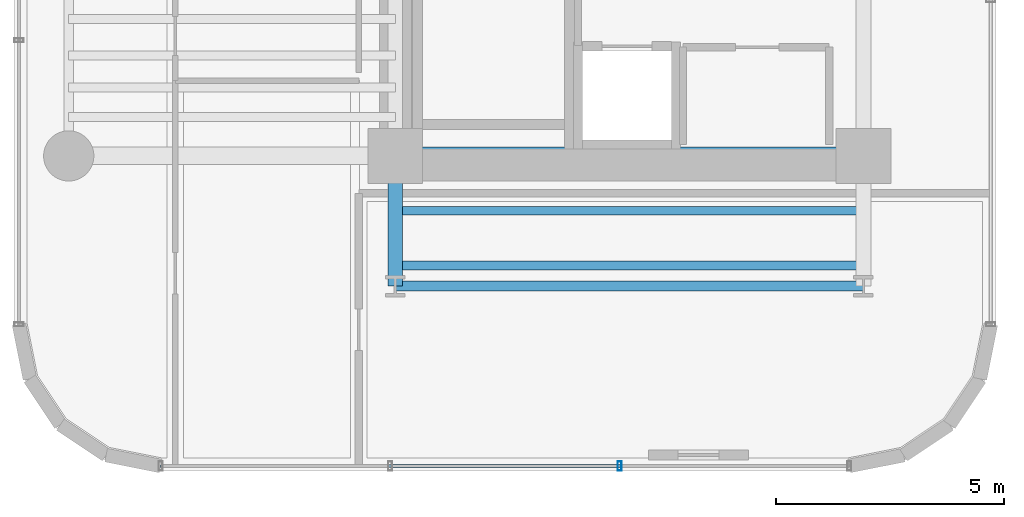
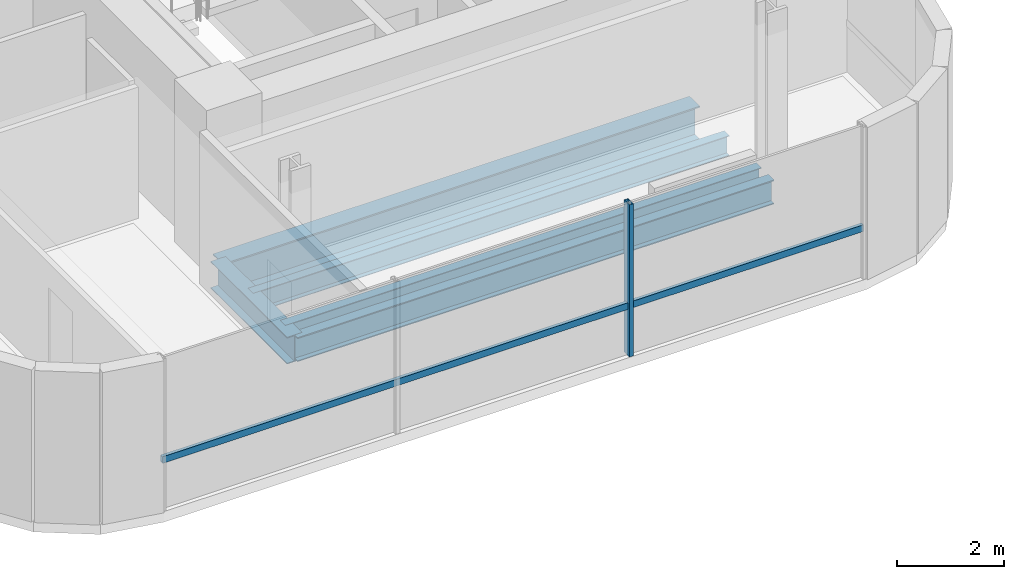
# One storey, part 3 of 35: 5 beams, 2 members, 1 element without a shape of its own.
"""IFC4 building model written with IfcOpenShell, lengths in metres."""

from ifc_helpers import new_model, si_unit, direction, frame, origin, origin_2d, place, context, subcontext, project, spatial, hollow_rectangle, i_section, extrude, source, transform, mapped, material, material_profile, profile_set, type_object, element, aggregate, save


model = new_model("IFC4")

# Units and contexts
model_context = context("Model", 3, precision=1e-05, world=origin(), true_north=direction((0.0, 1.0)))
body_context = subcontext(model_context, "Body", "Model", "MODEL_VIEW")
ifc_project = project(units=[si_unit("LENGTHUNIT", "METRE"), si_unit("AREAUNIT", "SQUARE_METRE"), si_unit("VOLUMEUNIT", "CUBIC_METRE"), si_unit("PLANEANGLEUNIT", "RADIAN"), si_unit("MASSUNIT", "GRAM", prefix="KILO")], contexts=[model_context])

# Site, building, storey
site_placement = place(None, origin())
site = spatial("IfcSite", under=ifc_project, at=site_placement, CompositionType="ELEMENT")
building_placement = place(site_placement, origin())
building = spatial("IfcBuilding", under=site, at=building_placement, Name="Valdorenza Pilgrim Sanctuary Tower", CompositionType="ELEMENT")
storey_placement = place(building_placement, frame((0.0, 0.0, 150.10009765625)))
storey = spatial("IfcBuildingStorey", under=building, at=storey_placement, Name="L38", CompositionType="ELEMENT", Elevation=150.10009765625)

# Beams
ifc_material_1 = material(Name="Steel ASTM A992 Grade 50", Category="steel")
ifc_material_profile_1 = material_profile(ifc_material_1, i_section(OverallWidth=0.214111328125, OverallDepth=0.549072265625, WebThickness=0.0146484375, FlangeThickness=0.023681640625, at=origin_2d()), Name="W21X93")
ifc_profile_set_1 = profile_set([ifc_material_profile_1], Name="Steel ASTM A992 Grade 50")
beam_type_1 = type_object("IfcBeamType", Name="STR-BM-SPN-W21A", PredefinedType="SPANDREL", material=ifc_profile_set_1)
shared_shape_1 = source(origin(), body_context, "Body", "SweptSolid", [
    extrude(i_section(OverallWidth=0.214111328125, OverallDepth=0.549072265625, WebThickness=0.0146484375, FlangeThickness=0.023681640625, at=origin_2d()), origin(), (0.0, 0.0, 1.0), 10.25),
])
beam_1_placement = place(storey_placement, frame((-22.64990234375, -13.449951171875, -0.5146484375), z_axis=(1.0, 0.0, 0.0), x_axis=(0.0, 1.0, 0.0)))
element("IfcBeam", 1, at=beam_1_placement, inside=storey, type_object=beam_type_1, Name="L38 South Spandrel WA-S-TIE", PredefinedType="SPANDREL", context=body_context, shape_type="MappedRepresentation", body=[
    mapped(shared_shape_1, transform((0.0, 0.0, 0.0), x_axis=(1.0, 0.0, 0.0), y_axis=(0.0, 1.0, 0.0), z_axis=(0.0, 0.0, 1.0), scale=1.0)),
])
ifc_material_profile_2 = material_profile(ifc_material_1, i_section(OverallWidth=0.323974609375, OverallDepth=0.611083984375, WebThickness=0.0126953125, FlangeThickness=0.01904296875, at=origin_2d()), Name="W24X104")
ifc_profile_set_2 = profile_set([ifc_material_profile_2], Name="Steel ASTM A992 Grade 50")
beam_type_2 = type_object("IfcBeamType", Name="STR-BM-GRD-W24B", PredefinedType="BEAM", material=ifc_profile_set_2)
shared_shape_2 = source(origin(), body_context, "Body", "SweptSolid", [
    extrude(i_section(OverallWidth=0.323974609375, OverallDepth=0.611083984375, WebThickness=0.0126953125, FlangeThickness=0.01904296875, at=origin_2d()), origin(), (0.0, 0.0, 1.0), 2.849853515625),
])
beam_2_placement = place(storey_placement, frame((-22.64990234375, -13.449951171875, -0.545654296875), z_axis=(0.0, 1.0, 0.0), x_axis=(-1.0, 0.0, 0.0)))
element("IfcBeam", 2, at=beam_2_placement, inside=storey, type_object=beam_type_2, Name="L38 Floor Girder WA-S-LW", PredefinedType="BEAM", context=body_context, shape_type="MappedRepresentation", body=[
    mapped(shared_shape_2, transform((0.0, 0.0, 0.0), x_axis=(1.0, 0.0, 0.0), y_axis=(0.0, 1.0, 0.0), z_axis=(0.0, 0.0, 1.0), scale=1.0)),
])
ifc_material_profile_3 = material_profile(ifc_material_1, i_section(OverallWidth=0.382080078125, OverallDepth=0.779052734375, WebThickness=0.01806640625, FlangeThickness=0.030029296875, at=origin_2d()), Name="W30X191")
ifc_profile_set_3 = profile_set([ifc_material_profile_3], Name="Steel ASTM A992 Grade 50")
beam_type_3 = type_object("IfcBeamType", Name="STR-BM-GRD-W30", PredefinedType="BEAM", material=ifc_profile_set_3)
shared_shape_3 = source(origin(), body_context, "Body", "SweptSolid", [
    extrude(i_section(OverallWidth=0.382080078125, OverallDepth=0.779052734375, WebThickness=0.01806640625, FlangeThickness=0.030029296875, at=origin_2d()), origin(), (0.0, 0.0, 1.0), 10.25),
])
beam_3_placement = place(storey_placement, frame((-22.64990234375, -10.60009765625, -0.629638671875), z_axis=(1.0, 0.0, 0.0), x_axis=(0.0, 1.0, 0.0)))
element("IfcBeam", 3, at=beam_3_placement, inside=storey, type_object=beam_type_3, Name="L38 Floor Girder CA-XC-S1", PredefinedType="BEAM", context=body_context, shape_type="MappedRepresentation", body=[
    mapped(shared_shape_3, transform((0.0, 0.0, 0.0), x_axis=(1.0, 0.0, 0.0), y_axis=(0.0, 1.0, 0.0), z_axis=(0.0, 0.0, 1.0), scale=1.0)),
])
ifc_material_profile_4 = material_profile(ifc_material_1, i_section(OverallWidth=0.19091796875, OverallDepth=0.45703125, WebThickness=0.009033203125, FlangeThickness=0.014404296875, at=origin_2d()), Name="W18X50")
ifc_profile_set_4 = profile_set([ifc_material_profile_4], Name="Steel ASTM A992 Grade 50")
beam_type_4 = type_object("IfcBeamType", Name="STR-BM-JST-W18B", PredefinedType="JOIST", material=ifc_profile_set_4)
shared_shape_4 = source(origin(), body_context, "Body", "SweptSolid", [
    extrude(i_section(OverallWidth=0.19091796875, OverallDepth=0.45703125, WebThickness=0.009033203125, FlangeThickness=0.014404296875, at=origin_2d()), origin(), (0.0, 0.0, 1.0), 10.25),
])
for number, where, z_axis, x_axis, name in (
    (4, (-22.64990234375, -13.0, -0.468505859375), (1.0, 0.0, 0.0), (0.0, 1.0, 0.0), "L38 Composite Floor Joist JST-WAS-1"),
    (5, (-22.64990234375, -11.800048828125, -0.468505859375), (1.0, 0.0, 0.0), (0.0, 1.0, 0.0), "L38 Composite Floor Joist JST-WAS-2"),
):
    element("IfcBeam", number, at=place(storey_placement, frame(where, z_axis=z_axis, x_axis=x_axis)), inside=storey, type_object=beam_type_4, Name=name, PredefinedType="JOIST", context=body_context, shape_type="MappedRepresentation", body=[
        mapped(shared_shape_4, transform((0.0, 0.0, 0.0), x_axis=(1.0, 0.0, 0.0), y_axis=(0.0, 1.0, 0.0), z_axis=(0.0, 0.0, 1.0), scale=1.0)),
    ])

# Curtain wall, members
ifc_material_2 = material(Name="Curtain-wall IGU glazing", Category="glass")
curtain_wall_type = type_object("IfcCurtainWallType", Name="CW-SYS-02", PredefinedType="NOTDEFINED", material=ifc_material_2)
curtain_wall_placement = place(storey_placement, origin())
curtain_wall = element("IfcCurtainWall", 6, at=curtain_wall_placement, inside=storey, type_object=curtain_wall_type, Name="L38 Curtain Wall CW-L38-1-46", PredefinedType="NOTDEFINED")
ifc_material_3 = material(Name="Anodised aluminium AW-6060", Category="aluminium")
ifc_material_profile_5 = material_profile(ifc_material_3, hollow_rectangle(XDim=0.0849609375, YDim=0.199951171875, WallThickness=0.0048828125, at=origin_2d()), Name="ALU-M 200x85x5")
ifc_profile_set_5 = profile_set([ifc_material_profile_5], Name="Anodised aluminium AW-6060")
member_type_1 = type_object("IfcMemberType", Name="CW-MUL-02", PredefinedType="MULLION", material=ifc_profile_set_5)
shared_shape_5 = source(origin(), body_context, "Body", "SweptSolid", [
    extrude(hollow_rectangle(XDim=0.0849609375, YDim=0.199951171875, WallThickness=0.0048828125, at=origin_2d()), origin(), (0.0, 0.0, 1.0), 3.4599609375),
])
member_1_placement = place(storey_placement, frame((-17.73681640625, -17.389892578125, 0.0), z_axis=(0.0, 0.0, 1.0), x_axis=(-1.0, 0.0, 0.0)))
member_1 = element("IfcMember", 7, at=member_1_placement, type_object=member_type_1, Name="CW-L38-1-46 Mullion 2", PredefinedType="MULLION", context=body_context, shape_type="MappedRepresentation", body=[
    mapped(shared_shape_5, transform((0.0, 0.0, 0.0), x_axis=(1.0, 0.0, 0.0), y_axis=(0.0, 1.0, 0.0), z_axis=(0.0, 0.0, 1.0), scale=1.0)),
])
ifc_material_profile_6 = material_profile(ifc_material_3, hollow_rectangle(XDim=0.074951171875, YDim=0.14990234375, WallThickness=0.00390625, at=origin_2d()), Name="ALU-T 150x75x4")
ifc_profile_set_6 = profile_set([ifc_material_profile_6], Name="Anodised aluminium AW-6060")
member_type_2 = type_object("IfcMemberType", Name="CW-TRN-02", PredefinedType="USERDEFINED", material=ifc_profile_set_6)
shared_shape_6 = source(origin(), body_context, "Body", "SweptSolid", [
    extrude(hollow_rectangle(XDim=0.074951171875, YDim=0.14990234375, WallThickness=0.00390625, at=origin_2d()), origin(), (0.0, 0.0, 1.0), 15.07861328125),
])
member_2_placement = place(storey_placement, frame((-12.710693359375, -17.389892578125, 1.119873046875), z_axis=(-1.0, 0.0, 0.0), x_axis=(0.0, -1.0, 0.0)))
member_2 = element("IfcMember", 8, at=member_2_placement, type_object=member_type_2, Name="CW-L38-1-46 Transom 1", ObjectType="TRANSOM", PredefinedType="USERDEFINED", context=body_context, shape_type="MappedRepresentation", body=[
    mapped(shared_shape_6, transform((0.0, 0.0, 0.0), x_axis=(1.0, 0.0, 0.0), y_axis=(0.0, 1.0, 0.0), z_axis=(0.0, 0.0, 1.0), scale=1.0)),
])
aggregate(curtain_wall, [member_1, member_2])

save(model, "model.ifc")
